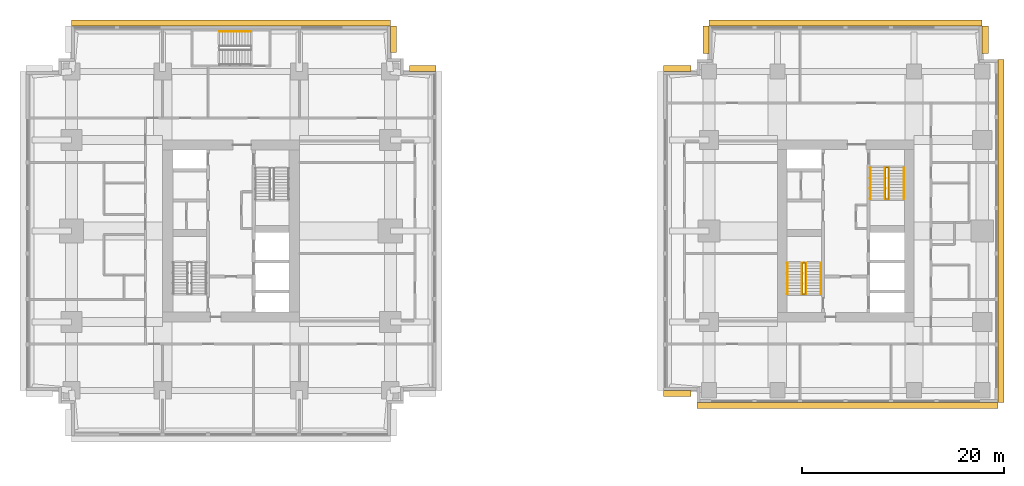
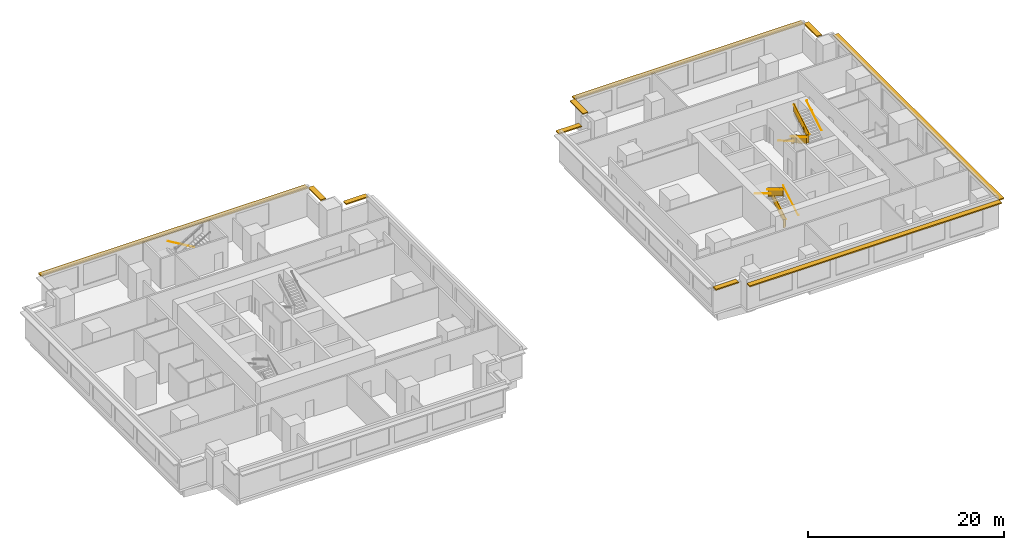
# One storey, part 10 of 10: 11 railings, 10 shading devices.
"""IFC4 building model written with IfcOpenShell, lengths in metres."""

from ifc_helpers import new_model, si_unit, direction, frame, origin, origin_2d, place, context, subcontext, project, spatial, polyline, rectangle, circle, outline, extrude, material, layer, layer_set, type_object, element, save


model = new_model("IFC4")

# Units and contexts
model_context = context("Model", 3, precision=1e-05, world=origin(), true_north=direction((0.0, 1.0)))
body_context = subcontext(model_context, "Body", "Model", "MODEL_VIEW")
ifc_project = project(units=[si_unit("LENGTHUNIT", "METRE"), si_unit("AREAUNIT", "SQUARE_METRE"), si_unit("VOLUMEUNIT", "CUBIC_METRE"), si_unit("PLANEANGLEUNIT", "RADIAN"), si_unit("MASSUNIT", "GRAM", prefix="KILO")], contexts=[model_context])

# Site, building, storey
site_placement = place(None, origin())
site = spatial("IfcSite", under=ifc_project, at=site_placement, CompositionType="ELEMENT")
building_placement = place(site_placement, origin())
building = spatial("IfcBuilding", under=site, at=building_placement, Name="Namib Vertical Campus", CompositionType="ELEMENT")
storey_placement = place(building_placement, frame((0.0, 0.0, 145.0)))
storey = spatial("IfcBuildingStorey", under=building, at=storey_placement, Name="L34", CompositionType="ELEMENT", Elevation=145.0)

# Railings
ifc_material_1 = material(Name="Steel handrail", Category="steel")
railing_type_1 = type_object("IfcRailingType", Name="Handrail 900", PredefinedType="HANDRAIL", material=ifc_material_1)
railing_1_placement = place(storey_placement, frame((78.550048828125, 14.0, 0.166748046875)))
element("IfcRailing", 1, at=railing_1_placement, inside=storey, type_object=railing_type_1, Name="Handrail HR1 B-S1 L34 1", PredefinedType="HANDRAIL", context=body_context, shape_type="SweptSolid", body=[
    extrude(circle(Radius=0.02392578125, at=origin_2d()), frame((0.0, 0.0, 0.8759765625), z_axis=(0.0, 0.859308565015, 0.511457515432), x_axis=(-1.0, 0.0, 0.0)), (0.0, 0.0, 1.0), 3.58447265625),
    extrude(circle(Radius=0.008056640625, at=origin_2d()), frame((0.0, 0.0, 0.8759765625), z_axis=(1.0, 0.0, 0.0), x_axis=(0.0, 0.0, 1.0)), (0.0, 0.0, 1.0), 0.050048828125),
    extrude(circle(Radius=0.008056640625, at=origin_2d()), frame((0.0, 1.026611328125, 1.48681640625), z_axis=(1.0, 0.0, 0.0), x_axis=(0.0, 0.0, 1.0)), (0.0, 0.0, 1.0), 0.050048828125),
    extrude(circle(Radius=0.008056640625, at=origin_2d()), frame((0.0, 2.053466796875, 2.09814453125), z_axis=(1.0, 0.0, 0.0), x_axis=(0.0, 0.0, 1.0)), (0.0, 0.0, 1.0), 0.050048828125),
    extrude(circle(Radius=0.008056640625, at=origin_2d()), frame((0.0, 3.080078125, 2.708984375), z_axis=(1.0, 0.0, 0.0), x_axis=(0.0, 0.0, 1.0)), (0.0, 0.0, 1.0), 0.050048828125),
])
railing_2_placement = place(storey_placement, frame((75.25, 17.080078125, 2.166748046875)))
element("IfcRailing", 2, at=railing_2_placement, inside=storey, type_object=railing_type_1, Name="Handrail HR1 B-S1 L34 2", PredefinedType="HANDRAIL", context=body_context, shape_type="SweptSolid", body=[
    extrude(circle(Radius=0.02392578125, at=origin_2d()), frame((0.0, 0.0, 0.8759765625), z_axis=(0.0, -0.859308565015, 0.511457515432), x_axis=(1.0, 0.0, 0.0)), (0.0, 0.0, 1.0), 3.58447265625),
    extrude(circle(Radius=0.008056640625, at=origin_2d()), frame((0.0, 0.0, 0.8759765625), z_axis=(-1.0, 0.0, 0.0), x_axis=(0.0, 0.0, 1.0)), (0.0, 0.0, 1.0), 0.050048828125),
    extrude(circle(Radius=0.008056640625, at=origin_2d()), frame((0.0, -1.026611328125, 1.48681640625), z_axis=(-1.0, 0.0, 0.0), x_axis=(0.0, 0.0, 1.0)), (0.0, 0.0, 1.0), 0.050048828125),
    extrude(circle(Radius=0.008056640625, at=origin_2d()), frame((0.0, -2.053466796875, 2.09814453125), z_axis=(-1.0, 0.0, 0.0), x_axis=(0.0, 0.0, 1.0)), (0.0, 0.0, 1.0), 0.050048828125),
    extrude(circle(Radius=0.008056640625, at=origin_2d()), frame((0.0, -3.080078125, 2.708984375), z_axis=(-1.0, 0.0, 0.0), x_axis=(0.0, 0.0, 1.0)), (0.0, 0.0, 1.0), 0.050048828125),
])
railing_3_placement = place(storey_placement, frame((77.10009765625, 14.0, 0.166748046875)))
element("IfcRailing", 3, at=railing_3_placement, inside=storey, type_object=railing_type_1, Name="Handrail HR1 B-S1 L34 1 at the well", PredefinedType="HANDRAIL", context=body_context, shape_type="SweptSolid", body=[
    extrude(circle(Radius=0.02392578125, at=origin_2d()), frame((0.0, 0.0, 0.8759765625), z_axis=(0.0, 0.859308565015, 0.511457515432), x_axis=(-1.0, 0.0, 0.0)), (0.0, 0.0, 1.0), 3.58447265625),
    extrude(circle(Radius=0.008056640625, at=origin_2d()), frame((0.0, 0.0, 0.8759765625), z_axis=(-1.0, 0.0, 0.0), x_axis=(0.0, 0.0, 1.0)), (0.0, 0.0, 1.0), 0.0400390625),
    extrude(circle(Radius=0.008056640625, at=origin_2d()), frame((0.0, 1.026611328125, 1.48681640625), z_axis=(-1.0, 0.0, 0.0), x_axis=(0.0, 0.0, 1.0)), (0.0, 0.0, 1.0), 0.0400390625),
    extrude(circle(Radius=0.008056640625, at=origin_2d()), frame((0.0, 2.053466796875, 2.09814453125), z_axis=(-1.0, 0.0, 0.0), x_axis=(0.0, 0.0, 1.0)), (0.0, 0.0, 1.0), 0.0400390625),
    extrude(circle(Radius=0.008056640625, at=origin_2d()), frame((0.0, 3.080078125, 2.708984375), z_axis=(-1.0, 0.0, 0.0), x_axis=(0.0, 0.0, 1.0)), (0.0, 0.0, 1.0), 0.0400390625),
])
railing_4_placement = place(storey_placement, frame((76.699951171875, 17.080078125, 2.166748046875)))
element("IfcRailing", 4, at=railing_4_placement, inside=storey, type_object=railing_type_1, Name="Handrail HR1 B-S1 L34 2 at the well", PredefinedType="HANDRAIL", context=body_context, shape_type="SweptSolid", body=[
    extrude(circle(Radius=0.02392578125, at=origin_2d()), frame((0.0, 0.0, 0.8759765625), z_axis=(0.0, -0.859308565015, 0.511457515432), x_axis=(1.0, 0.0, 0.0)), (0.0, 0.0, 1.0), 3.58447265625),
    extrude(circle(Radius=0.008056640625, at=origin_2d()), frame((0.0, 0.0, 0.8759765625), z_axis=(1.0, 0.0, 0.0), x_axis=(0.0, 0.0, 1.0)), (0.0, 0.0, 1.0), 0.0400390625),
    extrude(circle(Radius=0.008056640625, at=origin_2d()), frame((0.0, -1.026611328125, 1.48681640625), z_axis=(1.0, 0.0, 0.0), x_axis=(0.0, 0.0, 1.0)), (0.0, 0.0, 1.0), 0.0400390625),
    extrude(circle(Radius=0.008056640625, at=origin_2d()), frame((0.0, -2.053466796875, 2.09814453125), z_axis=(1.0, 0.0, 0.0), x_axis=(0.0, 0.0, 1.0)), (0.0, 0.0, 1.0), 0.0400390625),
    extrude(circle(Radius=0.008056640625, at=origin_2d()), frame((0.0, -3.080078125, 2.708984375), z_axis=(1.0, 0.0, 0.0), x_axis=(0.0, 0.0, 1.0)), (0.0, 0.0, 1.0), 0.0400390625),
])
railing_5_placement = place(storey_placement, frame((83.449951171875, 26.5, 0.166748046875)))
element("IfcRailing", 5, at=railing_5_placement, inside=storey, type_object=railing_type_1, Name="Handrail HR1 B-S2 L34 1", PredefinedType="HANDRAIL", context=body_context, shape_type="SweptSolid", body=[
    extrude(circle(Radius=0.02392578125, at=origin_2d()), frame((0.0, 0.0, 0.8759765625), z_axis=(0.0, -0.859308565015, 0.511457515432), x_axis=(1.0, 0.0, 0.0)), (0.0, 0.0, 1.0), 3.58447265625),
    extrude(circle(Radius=0.008056640625, at=origin_2d()), frame((0.0, 0.0, 0.8759765625), z_axis=(-1.0, 0.0, 0.0), x_axis=(0.0, 0.0, 1.0)), (0.0, 0.0, 1.0), 0.050048828125),
    extrude(circle(Radius=0.008056640625, at=origin_2d()), frame((0.0, -1.026611328125, 1.48681640625), z_axis=(-1.0, 0.0, 0.0), x_axis=(0.0, 0.0, 1.0)), (0.0, 0.0, 1.0), 0.050048828125),
    extrude(circle(Radius=0.008056640625, at=origin_2d()), frame((0.0, -2.053466796875, 2.09814453125), z_axis=(-1.0, 0.0, 0.0), x_axis=(0.0, 0.0, 1.0)), (0.0, 0.0, 1.0), 0.050048828125),
    extrude(circle(Radius=0.008056640625, at=origin_2d()), frame((0.0, -3.080078125, 2.708984375), z_axis=(-1.0, 0.0, 0.0), x_axis=(0.0, 0.0, 1.0)), (0.0, 0.0, 1.0), 0.050048828125),
])
railing_6_placement = place(storey_placement, frame((86.75, 23.419921875, 2.166748046875)))
element("IfcRailing", 6, at=railing_6_placement, inside=storey, type_object=railing_type_1, Name="Handrail HR1 B-S2 L34 2", PredefinedType="HANDRAIL", context=body_context, shape_type="SweptSolid", body=[
    extrude(circle(Radius=0.02392578125, at=origin_2d()), frame((0.0, 0.0, 0.8759765625), z_axis=(0.0, 0.859308565015, 0.511457515432), x_axis=(-1.0, 0.0, 0.0)), (0.0, 0.0, 1.0), 3.58447265625),
    extrude(circle(Radius=0.008056640625, at=origin_2d()), frame((0.0, 0.0, 0.8759765625), z_axis=(1.0, 0.0, 0.0), x_axis=(0.0, 0.0, 1.0)), (0.0, 0.0, 1.0), 0.050048828125),
    extrude(circle(Radius=0.008056640625, at=origin_2d()), frame((0.0, 1.026611328125, 1.48681640625), z_axis=(1.0, 0.0, 0.0), x_axis=(0.0, 0.0, 1.0)), (0.0, 0.0, 1.0), 0.050048828125),
    extrude(circle(Radius=0.008056640625, at=origin_2d()), frame((0.0, 2.053466796875, 2.09814453125), z_axis=(1.0, 0.0, 0.0), x_axis=(0.0, 0.0, 1.0)), (0.0, 0.0, 1.0), 0.050048828125),
    extrude(circle(Radius=0.008056640625, at=origin_2d()), frame((0.0, 3.080078125, 2.708984375), z_axis=(1.0, 0.0, 0.0), x_axis=(0.0, 0.0, 1.0)), (0.0, 0.0, 1.0), 0.050048828125),
])
railing_7_placement = place(storey_placement, frame((84.89990234375, 26.5, 0.166748046875)))
element("IfcRailing", 7, at=railing_7_placement, inside=storey, type_object=railing_type_1, Name="Handrail HR1 B-S2 L34 1 at the well", PredefinedType="HANDRAIL", context=body_context, shape_type="SweptSolid", body=[
    extrude(circle(Radius=0.02392578125, at=origin_2d()), frame((0.0, 0.0, 0.8759765625), z_axis=(0.0, -0.859308565015, 0.511457515432), x_axis=(1.0, 0.0, 0.0)), (0.0, 0.0, 1.0), 3.58447265625),
    extrude(circle(Radius=0.008056640625, at=origin_2d()), frame((0.0, 0.0, 0.8759765625), z_axis=(1.0, 0.0, 0.0), x_axis=(0.0, 0.0, 1.0)), (0.0, 0.0, 1.0), 0.0400390625),
    extrude(circle(Radius=0.008056640625, at=origin_2d()), frame((0.0, -1.026611328125, 1.48681640625), z_axis=(1.0, 0.0, 0.0), x_axis=(0.0, 0.0, 1.0)), (0.0, 0.0, 1.0), 0.0400390625),
    extrude(circle(Radius=0.008056640625, at=origin_2d()), frame((0.0, -2.053466796875, 2.09814453125), z_axis=(1.0, 0.0, 0.0), x_axis=(0.0, 0.0, 1.0)), (0.0, 0.0, 1.0), 0.0400390625),
    extrude(circle(Radius=0.008056640625, at=origin_2d()), frame((0.0, -3.080078125, 2.708984375), z_axis=(1.0, 0.0, 0.0), x_axis=(0.0, 0.0, 1.0)), (0.0, 0.0, 1.0), 0.0400390625),
])
railing_8_placement = place(storey_placement, frame((85.300048828125, 23.419921875, 2.166748046875)))
element("IfcRailing", 8, at=railing_8_placement, inside=storey, type_object=railing_type_1, Name="Handrail HR1 B-S2 L34 2 at the well", PredefinedType="HANDRAIL", context=body_context, shape_type="SweptSolid", body=[
    extrude(circle(Radius=0.02392578125, at=origin_2d()), frame((0.0, 0.0, 0.8759765625), z_axis=(0.0, 0.859308565015, 0.511457515432), x_axis=(-1.0, 0.0, 0.0)), (0.0, 0.0, 1.0), 3.58447265625),
    extrude(circle(Radius=0.008056640625, at=origin_2d()), frame((0.0, 0.0, 0.8759765625), z_axis=(-1.0, 0.0, 0.0), x_axis=(0.0, 0.0, 1.0)), (0.0, 0.0, 1.0), 0.0400390625),
    extrude(circle(Radius=0.008056640625, at=origin_2d()), frame((0.0, 1.026611328125, 1.48681640625), z_axis=(-1.0, 0.0, 0.0), x_axis=(0.0, 0.0, 1.0)), (0.0, 0.0, 1.0), 0.0400390625),
    extrude(circle(Radius=0.008056640625, at=origin_2d()), frame((0.0, 2.053466796875, 2.09814453125), z_axis=(-1.0, 0.0, 0.0), x_axis=(0.0, 0.0, 1.0)), (0.0, 0.0, 1.0), 0.0400390625),
    extrude(circle(Radius=0.008056640625, at=origin_2d()), frame((0.0, 3.080078125, 2.708984375), z_axis=(-1.0, 0.0, 0.0), x_axis=(0.0, 0.0, 1.0)), (0.0, 0.0, 1.0), 0.0400390625),
])
railing_9_placement = place(storey_placement, frame((22.199951171875, 39.949951171875, 0.166748046875)))
element("IfcRailing", 9, at=railing_9_placement, inside=storey, type_object=railing_type_1, Name="Handrail HR1 A-S3 L34 1", PredefinedType="HANDRAIL", context=body_context, shape_type="SweptSolid", body=[
    extrude(circle(Radius=0.02392578125, at=origin_2d()), frame((0.0, 0.0, 0.8759765625), z_axis=(-0.859290745958, 0.0, 0.51148745235), x_axis=(0.0, -1.0, 0.0)), (0.0, 0.0, 1.0), 3.584228515625),
    extrude(circle(Radius=0.008056640625, at=origin_2d()), frame((0.0, 0.0, 0.8759765625), z_axis=(0.0, 1.0, 0.0), x_axis=(0.0, 0.0, 1.0)), (0.0, 0.0, 1.0), 0.050048828125),
    extrude(circle(Radius=0.008056640625, at=origin_2d()), frame((-1.026611328125, 0.0, 1.48681640625), z_axis=(0.0, 1.0, 0.0), x_axis=(0.0, 0.0, 1.0)), (0.0, 0.0, 1.0), 0.050048828125),
    extrude(circle(Radius=0.008056640625, at=origin_2d()), frame((-2.05322265625, 0.0, 2.09814453125), z_axis=(0.0, 1.0, 0.0), x_axis=(0.0, 0.0, 1.0)), (0.0, 0.0, 1.0), 0.050048828125),
    extrude(circle(Radius=0.008056640625, at=origin_2d()), frame((-3.079833984375, 0.0, 2.708984375), z_axis=(0.0, 1.0, 0.0), x_axis=(0.0, 0.0, 1.0)), (0.0, 0.0, 1.0), 0.050048828125),
])
ifc_material_2 = material(Name="Steel balustrade", Category="steel")
railing_type_2 = type_object("IfcRailingType", Name="Stair guard 1100", PredefinedType="GUARDRAIL", material=ifc_material_2)
railing_10_placement = place(storey_placement, frame((76.75, 14.0, 0.0)))
element("IfcRailing", 10, at=railing_10_placement, inside=storey, type_object=railing_type_2, Name="Stair guard GR1 B-S1 L34", PredefinedType="GUARDRAIL", context=body_context, shape_type="SweptSolid", body=[
    extrude(circle(Radius=0.02392578125, at=origin_2d()), frame((0.0, 0.0, 1.076171875), z_axis=(1.0, 0.0, 0.0), x_axis=(0.0, 1.0, 0.0)), (0.0, 0.0, 1.0), 0.300048828125),
    extrude(outline(polyline([(0.02099609375, 0.050048828125), (0.279052734375, 0.050048828125), (0.279052734375, 1.052001953125), (0.02099609375, 1.052001953125), (0.02099609375, 0.050048828125)])), frame((0.0, 0.010009765625, 0.0), z_axis=(0.0, -1.0, 0.0), x_axis=(1.0, 0.0, 0.0)), (0.0, 0.0, 1.0), 0.02001953125),
    extrude(circle(Radius=0.02392578125, at=origin_2d()), frame((0.300048828125, 0.0, 1.076171875), z_axis=(0.0, 0.0, 1.0), x_axis=(1.0, 0.0, 0.0)), (0.0, 0.0, 1.0), 0.166748046875),
    extrude(circle(Radius=0.02392578125, at=origin_2d()), frame((0.300048828125, 0.0, 1.24267578125), z_axis=(0.0, 0.859308565015, 0.511457515432), x_axis=(-1.0, 0.0, 0.0)), (0.0, 0.0, 1.0), 3.58447265625),
    extrude(outline(polyline([(0.02099609375, 0.0625), (3.05908203125, 1.870849609375), (3.05908203125, 2.872802734375), (0.02099609375, 1.064453125), (0.02099609375, 0.0625)])), frame((0.2900390625, 0.0, 0.166748046875), z_axis=(1.0, 0.0, 0.0), x_axis=(0.0, 1.0, 0.0)), (0.0, 0.0, 1.0), 0.02001953125),
    extrude(circle(Radius=0.02392578125, at=origin_2d()), frame((0.300048828125, 3.080078125, 3.076171875), z_axis=(-1.0, 0.0, 0.0), x_axis=(0.0, -1.0, 0.0)), (0.0, 0.0, 1.0), 0.300048828125),
    extrude(outline(polyline([(0.02099609375, 0.050048828125), (0.279052734375, 0.050048828125), (0.279052734375, 1.052001953125), (0.02099609375, 1.052001953125), (0.02099609375, 0.050048828125)])), frame((0.300048828125, 3.070068359375, 2.0), z_axis=(0.0, 1.0, 0.0), x_axis=(-1.0, 0.0, 0.0)), (0.0, 0.0, 1.0), 0.02001953125),
    extrude(circle(Radius=0.02392578125, at=origin_2d()), frame((0.0, 3.080078125, 3.076171875), z_axis=(0.0, 0.0, 1.0), x_axis=(1.0, 0.0, 0.0)), (0.0, 0.0, 1.0), 0.166748046875),
    extrude(circle(Radius=0.02392578125, at=origin_2d()), frame((0.0, 3.080078125, 3.24267578125), z_axis=(0.0, -0.859308565015, 0.511457515432), x_axis=(1.0, 0.0, 0.0)), (0.0, 0.0, 1.0), 3.58447265625),
    extrude(outline(polyline([(0.02099609375, 0.0625), (3.05908203125, 1.870849609375), (3.05908203125, 2.872802734375), (0.02099609375, 1.064453125), (0.02099609375, 0.0625)])), frame((0.010009765625, 3.080078125, 2.166748046875), z_axis=(-1.0, 0.0, 0.0), x_axis=(0.0, -1.0, 0.0)), (0.0, 0.0, 1.0), 0.02001953125),
    extrude(circle(Radius=0.02392578125, at=origin_2d()), frame((0.0, 0.0, 5.076171875), z_axis=(0.0, -1.0, 0.0), x_axis=(1.0, 0.0, 0.0)), (0.0, 0.0, 1.0), 0.050048828125),
    extrude(outline(polyline([(0.02099609375, 0.050048828125), (0.029052734375, 0.050048828125), (0.029052734375, 1.052001953125), (0.02099609375, 1.052001953125), (0.02099609375, 0.050048828125)])), frame((0.010009765625, 0.0, 4.0), z_axis=(-1.0, 0.0, 0.0), x_axis=(0.0, -1.0, 0.0)), (0.0, 0.0, 1.0), 0.02001953125),
    extrude(circle(Radius=0.02099609375, at=origin_2d()), origin(), (0.0, 0.0, 1.0), 1.052001953125),
    extrude(circle(Radius=0.02099609375, at=origin_2d()), frame((0.300048828125, 0.0, 0.166748046875)), (0.0, 0.0, 1.0), 1.052001953125),
    extrude(circle(Radius=0.02099609375, at=origin_2d()), frame((0.300048828125, 1.026611328125, 0.666748046875)), (0.0, 0.0, 1.0), 1.1630859375),
    extrude(circle(Radius=0.02099609375, at=origin_2d()), frame((0.300048828125, 2.053466796875, 1.33349609375)), (0.0, 0.0, 1.0), 1.107421875),
    extrude(circle(Radius=0.02099609375, at=origin_2d()), frame((0.300048828125, 3.080078125, 2.0)), (0.0, 0.0, 1.0), 1.052001953125),
    extrude(circle(Radius=0.02099609375, at=origin_2d()), frame((0.0, 3.080078125, 2.166748046875)), (0.0, 0.0, 1.0), 1.052001953125),
    extrude(circle(Radius=0.02099609375, at=origin_2d()), frame((0.0, 2.053466796875, 2.666748046875)), (0.0, 0.0, 1.0), 1.1630859375),
    extrude(circle(Radius=0.02099609375, at=origin_2d()), frame((0.0, 1.026611328125, 3.33349609375)), (0.0, 0.0, 1.0), 1.107421875),
    extrude(circle(Radius=0.02099609375, at=origin_2d()), frame((0.0, 0.0, 4.0)), (0.0, 0.0, 1.0), 1.052001953125),
    extrude(circle(Radius=0.02099609375, at=origin_2d()), frame((0.0, -0.050048828125, 4.0)), (0.0, 0.0, 1.0), 1.052001953125),
])
railing_11_placement = place(storey_placement, frame((85.25, 26.5, 0.0)))
element("IfcRailing", 11, at=railing_11_placement, inside=storey, type_object=railing_type_2, Name="Stair guard GR1 B-S2 L34", PredefinedType="GUARDRAIL", context=body_context, shape_type="SweptSolid", body=[
    extrude(circle(Radius=0.02392578125, at=origin_2d()), frame((0.0, 0.0, 1.076171875), z_axis=(-1.0, 0.0, 0.0), x_axis=(0.0, -1.0, 0.0)), (0.0, 0.0, 1.0), 0.300048828125),
    extrude(outline(polyline([(0.02099609375, 0.050048828125), (0.279052734375, 0.050048828125), (0.279052734375, 1.052001953125), (0.02099609375, 1.052001953125), (0.02099609375, 0.050048828125)])), frame((0.0, -0.010009765625, 0.0), z_axis=(0.0, 1.0, 0.0), x_axis=(-1.0, 0.0, 0.0)), (0.0, 0.0, 1.0), 0.02001953125),
    extrude(circle(Radius=0.02392578125, at=origin_2d()), frame((-0.300048828125, 0.0, 1.076171875), z_axis=(0.0, 0.0, 1.0), x_axis=(1.0, 0.0, 0.0)), (0.0, 0.0, 1.0), 0.166748046875),
    extrude(circle(Radius=0.02392578125, at=origin_2d()), frame((-0.300048828125, 0.0, 1.24267578125), z_axis=(0.0, -0.859308565015, 0.511457515432), x_axis=(1.0, 0.0, 0.0)), (0.0, 0.0, 1.0), 3.58447265625),
    extrude(outline(polyline([(0.02099609375, 0.0625), (3.05908203125, 1.870849609375), (3.05908203125, 2.872802734375), (0.02099609375, 1.064453125), (0.02099609375, 0.0625)])), frame((-0.2900390625, 0.0, 0.166748046875), z_axis=(-1.0, 0.0, 0.0), x_axis=(0.0, -1.0, 0.0)), (0.0, 0.0, 1.0), 0.02001953125),
    extrude(circle(Radius=0.02392578125, at=origin_2d()), frame((-0.300048828125, -3.080078125, 3.076171875), z_axis=(1.0, 0.0, 0.0), x_axis=(0.0, 1.0, 0.0)), (0.0, 0.0, 1.0), 0.300048828125),
    extrude(outline(polyline([(0.02099609375, 0.050048828125), (0.279052734375, 0.050048828125), (0.279052734375, 1.052001953125), (0.02099609375, 1.052001953125), (0.02099609375, 0.050048828125)])), frame((-0.300048828125, -3.070068359375, 2.0), z_axis=(0.0, -1.0, 0.0), x_axis=(1.0, 0.0, 0.0)), (0.0, 0.0, 1.0), 0.02001953125),
    extrude(circle(Radius=0.02392578125, at=origin_2d()), frame((0.0, -3.080078125, 3.076171875), z_axis=(0.0, 0.0, 1.0), x_axis=(1.0, 0.0, 0.0)), (0.0, 0.0, 1.0), 0.166748046875),
    extrude(circle(Radius=0.02392578125, at=origin_2d()), frame((0.0, -3.080078125, 3.24267578125), z_axis=(0.0, 0.859308565015, 0.511457515432), x_axis=(-1.0, 0.0, 0.0)), (0.0, 0.0, 1.0), 3.58447265625),
    extrude(outline(polyline([(0.02099609375, 0.0625), (3.05908203125, 1.870849609375), (3.05908203125, 2.872802734375), (0.02099609375, 1.064453125), (0.02099609375, 0.0625)])), frame((-0.010009765625, -3.080078125, 2.166748046875), z_axis=(1.0, 0.0, 0.0), x_axis=(0.0, 1.0, 0.0)), (0.0, 0.0, 1.0), 0.02001953125),
    extrude(circle(Radius=0.02392578125, at=origin_2d()), frame((0.0, 0.0, 5.076171875), z_axis=(0.0, 1.0, 0.0), x_axis=(-1.0, 0.0, 0.0)), (0.0, 0.0, 1.0), 0.050048828125),
    extrude(outline(polyline([(0.02099609375, 0.050048828125), (0.029052734375, 0.050048828125), (0.029052734375, 1.052001953125), (0.02099609375, 1.052001953125), (0.02099609375, 0.050048828125)])), frame((-0.010009765625, 0.0, 4.0), z_axis=(1.0, 0.0, 0.0), x_axis=(0.0, 1.0, 0.0)), (0.0, 0.0, 1.0), 0.02001953125),
    extrude(circle(Radius=0.02099609375, at=origin_2d()), origin(), (0.0, 0.0, 1.0), 1.052001953125),
    extrude(circle(Radius=0.02099609375, at=origin_2d()), frame((-0.300048828125, 0.0, 0.166748046875)), (0.0, 0.0, 1.0), 1.052001953125),
    extrude(circle(Radius=0.02099609375, at=origin_2d()), frame((-0.300048828125, -1.026611328125, 0.666748046875)), (0.0, 0.0, 1.0), 1.1630859375),
    extrude(circle(Radius=0.02099609375, at=origin_2d()), frame((-0.300048828125, -2.053466796875, 1.33349609375)), (0.0, 0.0, 1.0), 1.107421875),
    extrude(circle(Radius=0.02099609375, at=origin_2d()), frame((-0.300048828125, -3.080078125, 2.0)), (0.0, 0.0, 1.0), 1.052001953125),
    extrude(circle(Radius=0.02099609375, at=origin_2d()), frame((0.0, -3.080078125, 2.166748046875)), (0.0, 0.0, 1.0), 1.052001953125),
    extrude(circle(Radius=0.02099609375, at=origin_2d()), frame((0.0, -2.053466796875, 2.666748046875)), (0.0, 0.0, 1.0), 1.1630859375),
    extrude(circle(Radius=0.02099609375, at=origin_2d()), frame((0.0, -1.026611328125, 3.33349609375)), (0.0, 0.0, 1.0), 1.107421875),
    extrude(circle(Radius=0.02099609375, at=origin_2d()), frame((0.0, 0.0, 4.0)), (0.0, 0.0, 1.0), 1.052001953125),
    extrude(circle(Radius=0.02099609375, at=origin_2d()), frame((0.0, 0.050048828125, 4.0)), (0.0, 0.0, 1.0), 1.052001953125),
])

# Shading devices
ifc_material_3 = material(Name="Concrete C40/50 precast", Category="concrete")
ifc_layer = layer(ifc_material_3, 0.14990234375)
ifc_layer_set = layer_set([ifc_layer], Name="Concrete C40/50 precast")
shading_device_type = type_object("IfcShadingDeviceType", Name="Sunshade hood 600", PredefinedType="SHUTTER", material=ifc_layer_set)
for number, where, z_axis, x_axis, name in (
    (12, (39.199951171875, 36.300048828125, 3.199951171875), (0.0, 0.0, 1.0), (-1.0, 0.0, 0.0), "Sunshade SH3 L34 7"),
    (13, (36.300048828125, 39.199951171875, 3.199951171875), (0.0, 0.0, 1.0), (0.0, 1.0, 0.0), "Sunshade SH3 L34 10"),
):
    element("IfcShadingDevice", number, at=place(storey_placement, frame(where, z_axis=z_axis, x_axis=x_axis)), inside=storey, type_object=shading_device_type, Name=name, PredefinedType="SHUTTER", context=body_context, shape_type="SweptSolid", body=[
        extrude(rectangle(XDim=2.60009765625, YDim=0.60009765625, at=origin_2d()), origin(), (0.0, 0.0, 1.0), 0.14990234375),
    ])
shading_device_1_placement = place(storey_placement, frame((20.25, 40.800048828125, 3.199951171875), z_axis=(0.0, 0.0, 1.0), x_axis=(-1.0, 0.0, 0.0)))
element("IfcShadingDevice", 14, at=shading_device_1_placement, inside=storey, type_object=shading_device_type, Name="Sunshade SH3 L34 11", PredefinedType="SHUTTER", context=body_context, shape_type="SweptSolid", body=[
    extrude(rectangle(XDim=31.5, YDim=0.60009765625, at=origin_2d()), origin(), (0.0, 0.0, 1.0), 0.14990234375),
])
shading_device_2_placement = place(storey_placement, frame((64.35009765625, 4.199951171875, 3.199951171875), z_axis=(0.0, 0.0, 1.0), x_axis=(1.0, 0.0, 0.0)))
element("IfcShadingDevice", 15, at=shading_device_2_placement, inside=storey, type_object=shading_device_type, Name="Sunshade SH3 L34 1", PredefinedType="SHUTTER", context=body_context, shape_type="SweptSolid", body=[
    extrude(rectangle(XDim=2.699951171875, YDim=0.60009765625, at=origin_2d()), origin(), (0.0, 0.0, 1.0), 0.14990234375),
])
shading_device_3_placement = place(storey_placement, frame((81.175048828125, 3.0, 3.199951171875), z_axis=(0.0, 0.0, 1.0), x_axis=(1.0, 0.0, 0.0)))
element("IfcShadingDevice", 16, at=shading_device_3_placement, inside=storey, type_object=shading_device_type, Name="Sunshade SH3 L34 3", PredefinedType="SHUTTER", context=body_context, shape_type="SweptSolid", body=[
    extrude(rectangle(XDim=29.75, YDim=0.60009765625, at=origin_2d()), origin(), (0.0, 0.0, 1.0), 0.14990234375),
])
shading_device_4_placement = place(storey_placement, frame((96.35009765625, 20.25, 3.199951171875), z_axis=(0.0, 0.0, 1.0), x_axis=(0.0, 1.0, 0.0)))
element("IfcShadingDevice", 17, at=shading_device_4_placement, inside=storey, type_object=shading_device_type, Name="Sunshade SH3 L34 4", PredefinedType="SHUTTER", context=body_context, shape_type="SweptSolid", body=[
    extrude(rectangle(XDim=33.89990234375, YDim=0.60009765625, at=origin_2d()), origin(), (0.0, 0.0, 1.0), 0.14990234375),
])
shading_device_5_placement = place(storey_placement, frame((94.800048828125, 39.14990234375, 3.199951171875), z_axis=(0.0, 0.0, 1.0), x_axis=(0.0, 1.0, 0.0)))
element("IfcShadingDevice", 18, at=shading_device_5_placement, inside=storey, type_object=shading_device_type, Name="Sunshade SH3 L34 6", PredefinedType="SHUTTER", context=body_context, shape_type="SweptSolid", body=[
    extrude(rectangle(XDim=2.699951171875, YDim=0.60009765625, at=origin_2d()), origin(), (0.0, 0.0, 1.0), 0.14990234375),
])
shading_device_6_placement = place(storey_placement, frame((81.0, 40.800048828125, 3.199951171875), z_axis=(0.0, 0.0, 1.0), x_axis=(-1.0, 0.0, 0.0)))
element("IfcShadingDevice", 19, at=shading_device_6_placement, inside=storey, type_object=shading_device_type, Name="Sunshade SH3 L34 7", PredefinedType="SHUTTER", context=body_context, shape_type="SweptSolid", body=[
    extrude(rectangle(XDim=27.0, YDim=0.60009765625, at=origin_2d()), origin(), (0.0, 0.0, 1.0), 0.14990234375),
])
for number, where, z_axis, x_axis, name in (
    (20, (67.199951171875, 39.14990234375, 3.199951171875), (0.0, 0.0, 1.0), (0.0, -1.0, 0.0), "Sunshade SH3 L34 8"),
    (21, (64.35009765625, 36.300048828125, 3.199951171875), (0.0, 0.0, 1.0), (-1.0, 0.0, 0.0), "Sunshade SH3 L34 11"),
):
    element("IfcShadingDevice", number, at=place(storey_placement, frame(where, z_axis=z_axis, x_axis=x_axis)), inside=storey, type_object=shading_device_type, Name=name, PredefinedType="SHUTTER", context=body_context, shape_type="SweptSolid", body=[
        extrude(rectangle(XDim=2.699951171875, YDim=0.60009765625, at=origin_2d()), origin(), (0.0, 0.0, 1.0), 0.14990234375),
    ])

save(model, "model.ifc")
